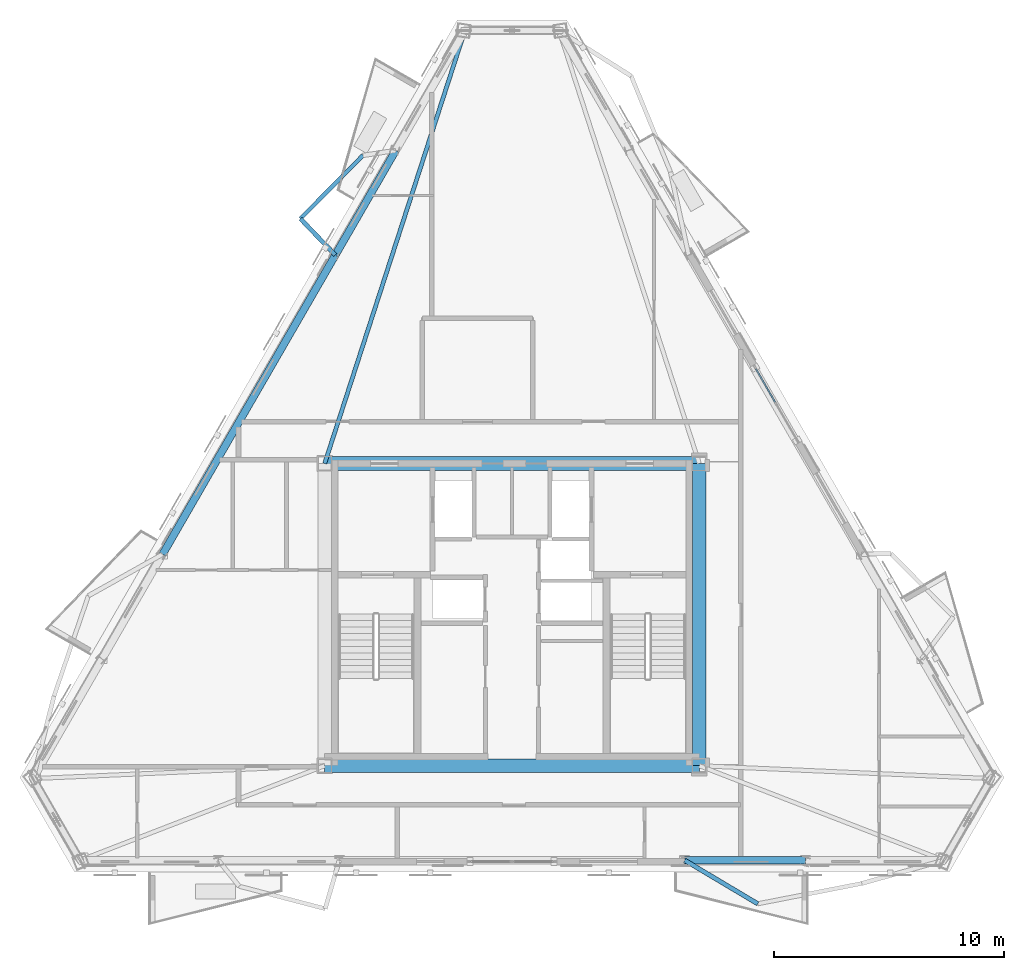
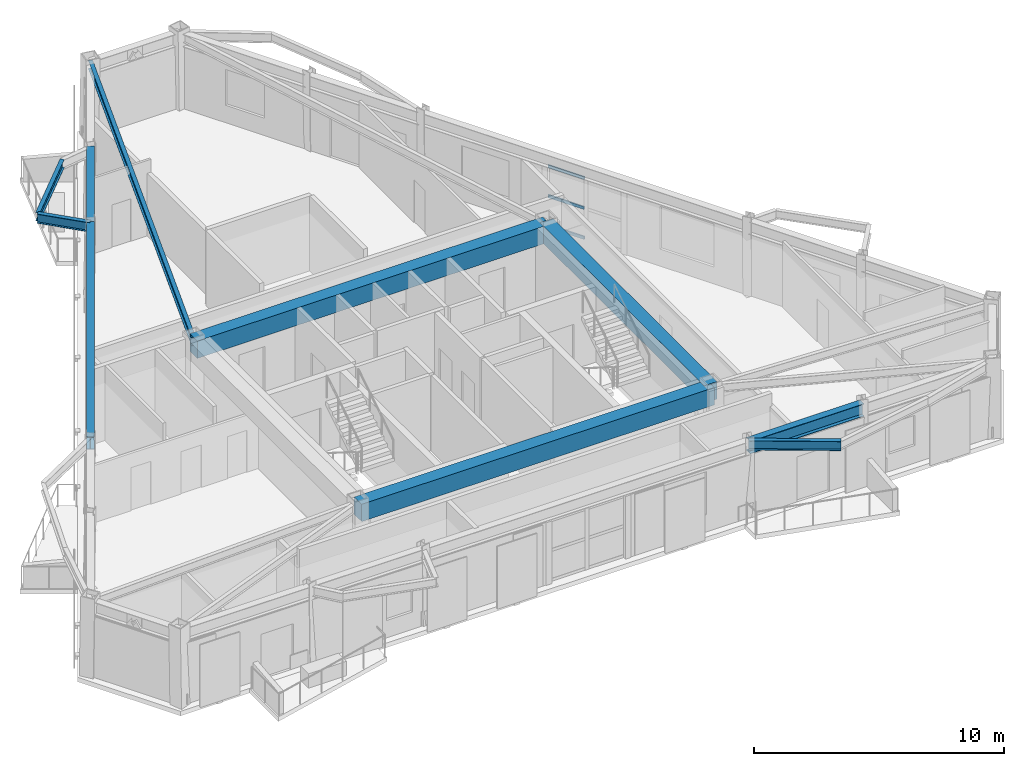
# One storey, part 3 of 15: 10 beams, 3 members, 1 element without a shape of its own.
"""IFC4 building model written with IfcOpenShell, lengths in metres."""

from ifc_helpers import new_model, si_unit, direction, frame, origin, origin_2d, place, context, subcontext, project, spatial, rectangle, hollow_rectangle, i_section, extrude, material, layer, layer_set, material_profile, profile_set, type_object, element, aggregate, save


model = new_model("IFC4")

# Units and contexts
model_context = context("Model", 3, precision=1e-05, world=origin(), true_north=direction((0.0, 1.0)))
body_context = subcontext(model_context, "Body", "Model", "MODEL_VIEW")
ifc_project = project(units=[si_unit("LENGTHUNIT", "METRE"), si_unit("AREAUNIT", "SQUARE_METRE"), si_unit("VOLUMEUNIT", "CUBIC_METRE"), si_unit("PLANEANGLEUNIT", "RADIAN"), si_unit("MASSUNIT", "GRAM", prefix="KILO")], contexts=[model_context])

# Site, building, storey
site_placement = place(None, origin())
site = spatial("IfcSite", under=ifc_project, at=site_placement, CompositionType="ELEMENT")
building_placement = place(site_placement, origin())
building = spatial("IfcBuilding", under=site, at=building_placement, Name="Oramaril Tower", CompositionType="ELEMENT")
storey_placement = place(building_placement, frame((0.0, 0.0, 288.89990234375)))
storey = spatial("IfcBuildingStorey", under=building, at=storey_placement, Name="L76", CompositionType="ELEMENT", Elevation=288.89990234375)

# Beams
ifc_material_1 = material(Name="Steel ASTM A572 Gr 50", Category="steel")
ifc_material_profile_1 = material_profile(ifc_material_1, i_section(OverallWidth=0.19091796875, OverallDepth=0.45703125, WebThickness=0.009033203125, FlangeThickness=0.014404296875, at=origin_2d()), Name="W18X50")
ifc_profile_set_1 = profile_set([ifc_material_profile_1], Name="Steel ASTM A572 Gr 50")
beam_type_1 = type_object("IfcBeamType", Name="BT-BB1", PredefinedType="BEAM", material=ifc_profile_set_1)
beam_1_placement = place(storey_placement, frame((45.013916015625, 6.884521484375, 3.45166015625), z_axis=(0.859211397788, -0.511620732487, 0.0), x_axis=(0.511620732487, 0.859211397788, 0.0)))
element("IfcBeam", 1, at=beam_1_placement, inside=storey, type_object=beam_type_1, Name="L76 Balcony Column-Framed Cantilever 02.1", PredefinedType="BEAM", context=body_context, shape_type="SweptSolid", body=[
    extrude(i_section(OverallWidth=0.19091796875, OverallDepth=0.45703125, WebThickness=0.009033203125, FlangeThickness=0.014404296875, at=origin_2d()), origin(), (0.0, 0.0, 1.0), 3.7001953125),
])
beam_2_placement = place(storey_placement, frame((29.812255859375, 33.215087890625, 3.45166015625), z_axis=(-0.691482626954, 0.722393090098, 0.0), x_axis=(-0.722393090098, -0.691482626954, 0.0)))
element("IfcBeam", 2, at=beam_2_placement, inside=storey, type_object=beam_type_1, Name="L76 Balcony Column-Framed Cantilever 05.2", PredefinedType="BEAM", context=body_context, shape_type="SweptSolid", body=[
    extrude(i_section(OverallWidth=0.19091796875, OverallDepth=0.45703125, WebThickness=0.009033203125, FlangeThickness=0.014404296875, at=origin_2d()), origin(), (0.0, 0.0, 1.0), 2.19580078125),
])
ifc_material_2 = material(Name="Concrete C50/60", Category="concrete")
ifc_material_profile_2 = material_profile(ifc_material_2, rectangle(XDim=0.60009765625, YDim=0.85009765625, at=origin_2d()), Name="CB600X850")
ifc_profile_set_2 = profile_set([ifc_material_profile_2], Name="Concrete C50/60")
beam_type_2 = type_object("IfcBeamType", Name="BT-CB2", PredefinedType="BEAM", material=ifc_profile_set_2)
beam_3_placement = place(storey_placement, frame((29.35009765625, 11.0, 3.255126953125), z_axis=(1.0, 0.0, 0.0), x_axis=(0.0, 1.0, 0.0)))
element("IfcBeam", 3, at=beam_3_placement, inside=storey, type_object=beam_type_2, Name="L76 Core Header Beam CB-1", PredefinedType="BEAM", context=body_context, shape_type="SweptSolid", body=[
    extrude(rectangle(XDim=0.60009765625, YDim=0.85009765625, at=origin_2d()), origin(), (0.0, 0.0, 1.0), 16.2998046875),
])
beam_4_placement = place(storey_placement, frame((45.64990234375, 11.0, 3.255126953125), z_axis=(0.0, 1.0, 0.0), x_axis=(-1.0, 0.0, 0.0)))
element("IfcBeam", 4, at=beam_4_placement, inside=storey, type_object=beam_type_2, Name="L76 Core Header Beam CB-2", PredefinedType="BEAM", context=body_context, shape_type="SweptSolid", body=[
    extrude(rectangle(XDim=0.60009765625, YDim=0.85009765625, at=origin_2d()), origin(), (0.0, 0.0, 1.0), 13.14990234375),
])
beam_5_placement = place(storey_placement, frame((45.64990234375, 24.14990234375, 3.255126953125), z_axis=(-1.0, 0.0, 0.0), x_axis=(0.0, -1.0, 0.0)))
element("IfcBeam", 5, at=beam_5_placement, inside=storey, type_object=beam_type_2, Name="L76 Core Header Beam CB-3", PredefinedType="BEAM", context=body_context, shape_type="SweptSolid", body=[
    extrude(rectangle(XDim=0.60009765625, YDim=0.85009765625, at=origin_2d()), origin(), (0.0, 0.0, 1.0), 16.2998046875),
])
ifc_material_3 = material(Name="Steel ASTM A572 Gr 50", Category="steel")
ifc_material_profile_3 = material_profile(ifc_material_3, i_section(OverallWidth=0.177978515625, OverallDepth=0.404052734375, WebThickness=0.007568359375, FlangeThickness=0.010986328125, at=origin_2d()), Name="W16X36")
ifc_profile_set_3 = profile_set([ifc_material_profile_3], Name="Steel ASTM A572 Gr 50")
beam_type_3 = type_object("IfcBeamType", Name="BT-SB1", PredefinedType="BEAM", material=ifc_profile_set_3)
beam_6_placement = place(storey_placement, frame((29.35009765625, 24.14990234375, 3.47802734375), z_axis=(0.308132977704, 0.951343296634, 0.0), x_axis=(-0.951343296634, 0.308132977704, 0.0)))
element("IfcBeam", 6, at=beam_6_placement, inside=storey, type_object=beam_type_3, Name="L76 Radial Primary Beam RB-06", PredefinedType="BEAM", context=body_context, shape_type="SweptSolid", body=[
    extrude(i_section(OverallWidth=0.177978515625, OverallDepth=0.404052734375, WebThickness=0.007568359375, FlangeThickness=0.010986328125, at=origin_2d()), origin(), (0.0, 0.0, 1.0), 19.7890625),
])
beam_7_placement = place(storey_placement, frame((31.0146484375, 37.5537109375, 3.47802734375), z_axis=(-0.702994511648, -0.71119527318, 0.0), x_axis=(0.71119527318, -0.702994511648, 0.0)))
element("IfcBeam", 7, at=beam_7_placement, inside=storey, type_object=beam_type_3, Name="L76 Balcony Edge Tie Beam 05", PredefinedType="BEAM", context=body_context, shape_type="SweptSolid", body=[
    extrude(i_section(OverallWidth=0.177978515625, OverallDepth=0.404052734375, WebThickness=0.007568359375, FlangeThickness=0.010986328125, at=origin_2d()), origin(), (0.0, 0.0, 1.0), 3.8701171875),
])
ifc_material_4 = material(Name="Steel ASTM A572 Gr 50", Category="steel")
ifc_material_profile_4 = material_profile(ifc_material_4, i_section(OverallWidth=0.324951171875, OverallDepth=0.612060546875, WebThickness=0.0126953125, FlangeThickness=0.01904296875, at=origin_2d()), Name="W24X104")
ifc_profile_set_4 = profile_set([ifc_material_profile_4], Name="Steel ASTM A572 Gr 50")
beam_type_4 = type_object("IfcBeamType", Name="BT-SP5", PredefinedType="SPANDREL", material=ifc_profile_set_4)
beam_8_placement = place(storey_placement, frame((45.013916015625, 6.884521484375, 3.3740234375), z_axis=(1.0, 0.0, 0.0), x_axis=(0.0, 1.0, 0.0)))
element("IfcBeam", 8, at=beam_8_placement, inside=storey, type_object=beam_type_4, Name="L76 Perimeter Spandrel 05", PredefinedType="SPANDREL", context=body_context, shape_type="SweptSolid", body=[
    extrude(i_section(OverallWidth=0.324951171875, OverallDepth=0.612060546875, WebThickness=0.0126953125, FlangeThickness=0.01904296875, at=origin_2d()), origin(), (0.0, 0.0, 1.0), 5.260009765625),
])
beam_9_placement = place(storey_placement, frame((32.442138671875, 37.770263671875, 3.3740234375), z_axis=(-0.499992991546, -0.86602945008, 0.0), x_axis=(0.86602945008, -0.499992991546, 0.0)))
element("IfcBeam", 9, at=beam_9_placement, inside=storey, type_object=beam_type_4, Name="L76 Perimeter Spandrel 15", PredefinedType="SPANDREL", context=body_context, shape_type="SweptSolid", body=[
    extrude(i_section(OverallWidth=0.324951171875, OverallDepth=0.612060546875, WebThickness=0.0126953125, FlangeThickness=0.01904296875, at=origin_2d()), origin(), (0.0, 0.0, 1.0), 5.259765625),
])
beam_10_placement = place(storey_placement, frame((29.812255859375, 33.215087890625, 3.3740234375), z_axis=(-0.500000420346, -0.866025161097, 0.0), x_axis=(0.866025161097, -0.500000420346, 0.0)))
element("IfcBeam", 10, at=beam_10_placement, inside=storey, type_object=beam_type_4, Name="L76 Perimeter Spandrel 16", PredefinedType="SPANDREL", context=body_context, shape_type="SweptSolid", body=[
    extrude(i_section(OverallWidth=0.324951171875, OverallDepth=0.612060546875, WebThickness=0.0126953125, FlangeThickness=0.01904296875, at=origin_2d()), origin(), (0.0, 0.0, 1.0), 15.0283203125),
])

# Curtain wall, members
ifc_material_5 = material(Name="Anodised Aluminium 6063-T6", Category="aluminium")
ifc_layer = layer(ifc_material_5, 0.179931640625)
ifc_layer_set = layer_set([ifc_layer], Name="CWT-SYS4")
curtain_wall_type = type_object("IfcCurtainWallType", Name="CWT-SYS4", PredefinedType="NOTDEFINED", material=ifc_layer_set)
curtain_wall_placement = place(storey_placement, origin())
curtain_wall = element("IfcCurtainWall", 11, at=curtain_wall_placement, inside=storey, type_object=curtain_wall_type, Name="L76 Unitised Curtain Wall CW-4", PredefinedType="NOTDEFINED")
ifc_material_6 = material(Name="Anodised Aluminium 6063-T6", Category="aluminium")
ifc_material_profile_5 = material_profile(ifc_material_6, hollow_rectangle(XDim=0.06494140625, YDim=0.139892578125, WallThickness=0.00390625, at=origin_2d()), Name="CWT140X65")
ifc_profile_set_5 = profile_set([ifc_material_profile_5], Name="Anodised Aluminium 6063-T6")
member_type = type_object("IfcMemberType", Name="MT-CWT2", PredefinedType="USERDEFINED", material=ifc_profile_set_5)
member_1_placement = place(storey_placement, frame((48.949462890625, 26.814208984375, 0.070068359375), z_axis=(-0.499999171277, 0.866025882247, 0.0), x_axis=(-0.866025882247, -0.499999171277, 0.0)))
member_1 = element("IfcMember", 12, at=member_1_placement, type_object=member_type, Name="CW-4 transom 2.1", ObjectType="TRANSOM", PredefinedType="USERDEFINED", context=body_context, shape_type="SweptSolid", body=[
    extrude(hollow_rectangle(XDim=0.06494140625, YDim=0.139892578125, WallThickness=0.00390625, at=origin_2d()), origin(), (0.0, 0.0, 1.0), 1.68017578125),
])
member_2_placement = place(storey_placement, frame((48.949462890625, 26.814208984375, 1.529052734375), z_axis=(-0.499999171277, 0.866025882247, 0.0), x_axis=(-0.866025882247, -0.499999171277, 0.0)))
member_2 = element("IfcMember", 13, at=member_2_placement, type_object=member_type, Name="CW-4 transom 2.2", ObjectType="TRANSOM", PredefinedType="USERDEFINED", context=body_context, shape_type="SweptSolid", body=[
    extrude(hollow_rectangle(XDim=0.06494140625, YDim=0.139892578125, WallThickness=0.00390625, at=origin_2d()), origin(), (0.0, 0.0, 1.0), 1.68017578125),
])
member_3_placement = place(storey_placement, frame((48.949462890625, 26.814208984375, 2.988037109375), z_axis=(-0.499999171277, 0.866025882247, 0.0), x_axis=(-0.866025882247, -0.499999171277, 0.0)))
member_3 = element("IfcMember", 14, at=member_3_placement, type_object=member_type, Name="CW-4 transom 2.3", ObjectType="TRANSOM", PredefinedType="USERDEFINED", context=body_context, shape_type="SweptSolid", body=[
    extrude(hollow_rectangle(XDim=0.06494140625, YDim=0.139892578125, WallThickness=0.00390625, at=origin_2d()), origin(), (0.0, 0.0, 1.0), 1.68017578125),
])
aggregate(curtain_wall, [member_1, member_2, member_3])

save(model, "model.ifc")
